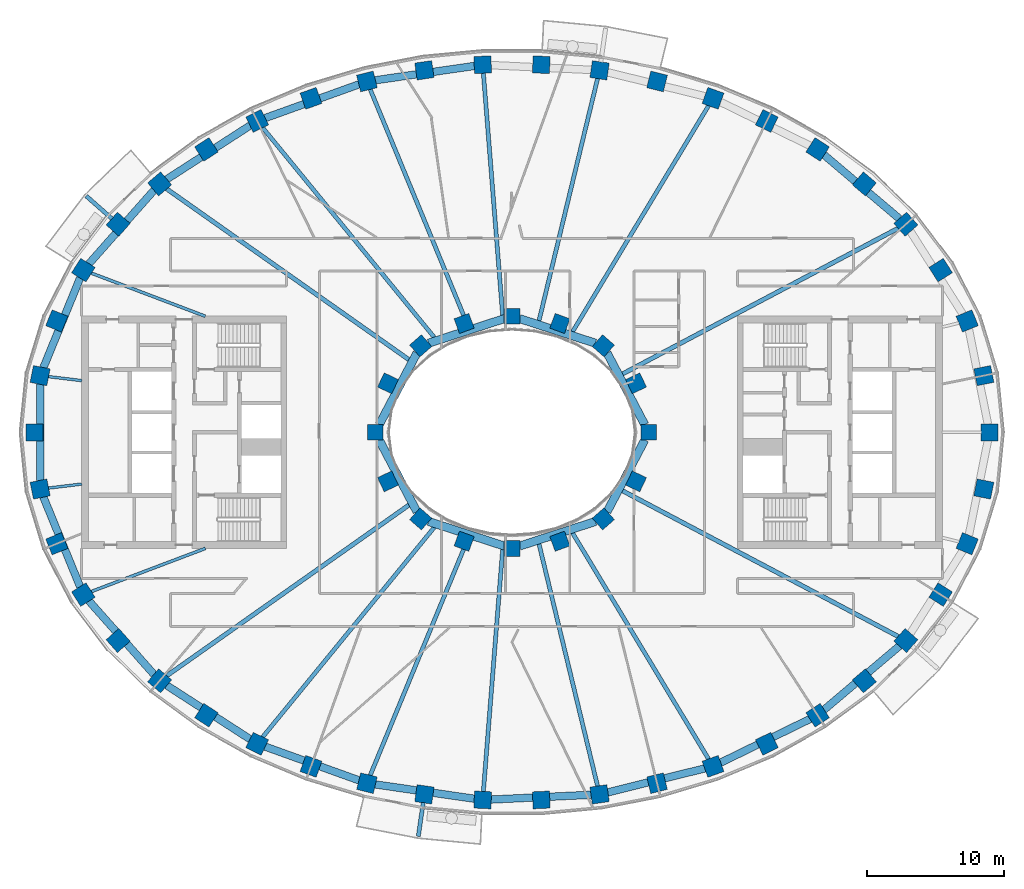
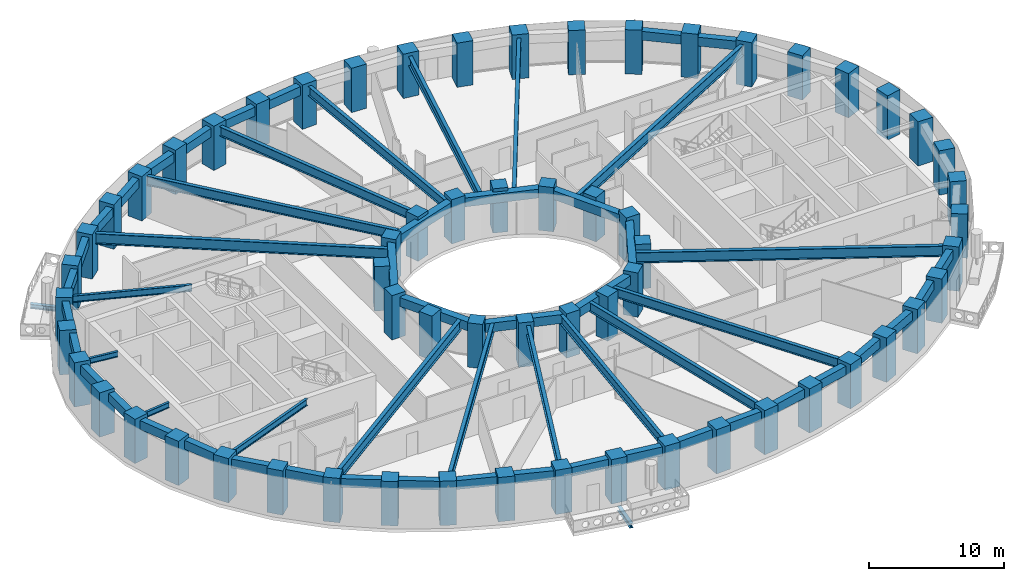
# One storey, part 1 of 16: 62 columns, 44 beams.
"""IFC4 building model written with IfcOpenShell, lengths in metres."""

import ifcopenshell
import ifcopenshell.guid

model = None  # the IFC model being written
_history = None  # IfcOwnerHistory: only IFC2X3 demands one
_inside = {}  # id of a spatial element -> (the spatial element, [elements in it])
_under = {}  # id of a project, library or spatial element -> (it, [spatial elements below it])
_declared = {}  # id of a project -> (the project, [libraries it declares])
_typed = {}  # id of a type object -> (the type object, [elements of that type])
_made_of = {}  # id of a material, layer set ... -> (it, [elements and type objects made of it])


def new_model(schema):
    """Start an empty IFC model of exactly this schema.

    Asked for "IFC4X3", IfcOpenShell would pick the latest addendum, in which some entities
    have other attributes; the version numbers below select the first issue.
    IFC2X3 requires an IfcOwnerHistory on every rooted entity: one is made here for all.
    """
    global model, _history
    if schema == "IFC4X3":
        model = ifcopenshell.file(schema_version=(4, 3, 0, 0))
    else:
        model = ifcopenshell.file(schema=schema)
    _inside.clear()
    _under.clear()
    _declared.clear()
    _typed.clear()
    _made_of.clear()
    _history = None
    if model.schema == "IFC2X3":
        org = make("IfcOrganization", Name="unknown")
        user = make(
            "IfcPersonAndOrganization",
            ThePerson=make("IfcPerson", FamilyName="unknown"),
            TheOrganization=org,
        )
        app = make(
            "IfcApplication",
            ApplicationDeveloper=org,
            Version="unknown",
            ApplicationFullName="unknown",
            ApplicationIdentifier="unknown",
        )
        _history = make(
            "IfcOwnerHistory",
            OwningUser=user,
            OwningApplication=app,
            ChangeAction="ADDED",
            CreationDate=0,
        )
    return model


def make(cls, **values):
    """One entity of the class cls with the attributes given. An attribute that is None is left unset."""
    return model.create_entity(
        cls, **{name: value for name, value in values.items() if value is not None}
    )


def rooted(cls, **values):
    """An entity with a GlobalId (a new one), such as an element, a storey or a relation."""
    return make(cls, GlobalId=ifcopenshell.guid.new(), OwnerHistory=_history, **values)


def si_unit(unit_type, name, prefix=None):
    """IfcSIUnit, for example si_unit("LENGTHUNIT", "METRE", prefix="MILLI")."""
    return make("IfcSIUnit", UnitType=unit_type, Prefix=prefix, Name=name)


def assignment(units):
    """IfcUnitAssignment: the units of a project."""
    return None if units is None else make("IfcUnitAssignment", Units=units)


def point(xyz):
    """IfcCartesianPoint."""
    return None if xyz is None else make("IfcCartesianPoint", Coordinates=xyz)


def direction(xyz):
    """IfcDirection."""
    return None if xyz is None else make("IfcDirection", DirectionRatios=xyz)


def frame(location, z_axis=None, x_axis=None):
    """IfcAxis2Placement3D, a coordinate frame: its origin and axes. An axis left out is left unset."""
    return make(
        "IfcAxis2Placement3D",
        Location=point(location),
        Axis=direction(z_axis),
        RefDirection=direction(x_axis),
    )


def frame_2d(location, x_axis=None):
    """IfcAxis2Placement2D, a coordinate frame in the plane: its origin and x axis."""
    return make(
        "IfcAxis2Placement2D", Location=point(location), RefDirection=direction(x_axis)
    )


def origin():
    """The frame at (0, 0, 0) with its axes left unset."""
    return frame((0.0, 0.0, 0.0))


def origin_2d():
    """The frame at (0, 0) in the plane with its x axis left unset."""
    return frame_2d((0.0, 0.0))


def place(relative_to, where):
    """IfcLocalPlacement: puts the frame where relative to a parent placement (None: the world)."""
    return make(
        "IfcLocalPlacement", PlacementRelTo=relative_to, RelativePlacement=where
    )


def context(
    kind, dimensions, precision=None, world=None, true_north=None, identifier=None
):
    """IfcGeometricRepresentationContext, for example the 3D "Model" context."""
    return make(
        "IfcGeometricRepresentationContext",
        ContextIdentifier=identifier,
        ContextType=kind,
        CoordinateSpaceDimension=dimensions,
        Precision=precision,
        WorldCoordinateSystem=world,
        TrueNorth=true_north,
    )


def subcontext(parent, identifier, kind, view, scale=None):
    """IfcGeometricRepresentationSubContext, for example "Body" below "Model"."""
    return make(
        "IfcGeometricRepresentationSubContext",
        ContextIdentifier=identifier,
        ContextType=kind,
        ParentContext=parent,
        TargetScale=scale,
        TargetView=view,
    )


def project(units=None, contexts=None):
    """IfcProject with its units and contexts."""
    return rooted(
        "IfcProject",
        Name="project",
        RepresentationContexts=contexts,
        UnitsInContext=assignment(units),
    )


def spatial(cls, under=None, at=None, **own):
    """A site, building, storey or space (cls), placed at a placement, below another one or the project."""
    s = rooted(cls, ObjectPlacement=at, **own)
    if under is not None:
        _under.setdefault(under.id(), (under, []))[1].append(s)
    return s


def profile(cls, at=None, kind="AREA", **sizes):
    """A parametric profile (cls). Its sizes go by their IFC names, for example OverallWidth=200.0."""
    return make(cls, ProfileType=kind, Position=at, **sizes)


def rectangle(**sizes):
    """IfcRectangleProfileDef."""
    return profile("IfcRectangleProfileDef", **sizes)


def i_section(**sizes):
    """IfcIShapeProfileDef."""
    return profile("IfcIShapeProfileDef", **sizes)


def extrude(swept, where, along, depth):
    """IfcExtrudedAreaSolid: the profile swept, set in the frame where, extruded along a direction by depth."""
    return make(
        "IfcExtrudedAreaSolid",
        SweptArea=swept,
        Position=where,
        ExtrudedDirection=direction(along),
        Depth=depth,
    )


def shape(context_of_items, identifier, shape_type, items):
    """IfcShapeRepresentation: the items that make up one representation, for example the "Body"."""
    return make(
        "IfcShapeRepresentation",
        ContextOfItems=context_of_items,
        RepresentationIdentifier=identifier,
        RepresentationType=shape_type,
        Items=items,
    )


def material(Name=None, Category=None):
    """IfcMaterial."""
    return make("IfcMaterial", Name=Name, Category=Category)


def material_profile(
    of_material, cross_section, Name=None, Category=None, Priority=None
):
    """IfcMaterialProfile: a cross section and its material."""
    return make(
        "IfcMaterialProfile",
        Name=Name,
        Material=of_material,
        Profile=cross_section,
        Priority=Priority,
        Category=Category,
    )


def profile_set(profiles, Name=None, composite=None):
    """IfcMaterialProfileSet."""
    return make(
        "IfcMaterialProfileSet",
        Name=Name,
        MaterialProfiles=profiles,
        CompositeProfile=composite,
    )


def made_of(thing, what):
    """Note that an element or type object is made of a material, layer set ...; save() writes the relation."""
    if what is not None:
        _made_of.setdefault(what.id(), (what, []))[1].append(thing)
    return thing


def type_object(cls, material=None, **own):
    """A type object (cls), such as IfcWallType, which elements share."""
    return made_of(rooted(cls, **own), material)


def element(
    cls,
    number,
    at=None,
    inside=None,
    cuts=None,
    type_object=None,
    material=None,
    context=None,
    identifier="Body",
    shape_type=None,
    held_by="IfcProductDefinitionShape",
    body=None,
    shapes=None,
    **own,
):
    """One element of the class cls, such as IfcWall. Its Tag is "e" and its number.

    at: its placement. inside: the storey or other place that contains it. cuts: it is an
    opening in that element (IfcRelVoidsElement). A single representation is given by context,
    identifier, shape_type and body (its items); several are given by shapes. held_by: the class
    of the entity that holds the representations. save() writes the other relations.
    """
    e = rooted(cls, Tag="e%d" % number, ObjectPlacement=at, **own)
    if body is not None:
        shapes = [shape(context, identifier, shape_type, body)]
    if shapes is not None:
        e.Representation = make(held_by, Representations=shapes)
    if inside is not None:
        _inside.setdefault(inside.id(), (inside, []))[1].append(e)
    if cuts is not None:
        rooted(
            "IfcRelVoidsElement", RelatingBuildingElement=cuts, RelatedOpeningElement=e
        )
    if type_object is not None:
        _typed.setdefault(type_object.id(), (type_object, []))[1].append(e)
    return made_of(e, material)


def aggregate(whole, parts):
    """IfcRelAggregates: a whole, such as a stair, and the parts it consists of."""
    return rooted("IfcRelAggregates", RelatingObject=whole, RelatedObjects=parts)


def save(model, path):
    """Write the relations noted so far, then the file.

    IfcRelAggregates (storeys below a building ...), IfcRelContainedInSpatialStructure (elements
    in a storey), IfcRelDefinesByType, IfcRelAssociatesMaterial and IfcRelDeclares: one each for
    every whole, place, type object, material and project.
    """
    for whole, parts in _under.values():
        aggregate(whole, parts)
    for where, things in _inside.values():
        rooted(
            "IfcRelContainedInSpatialStructure",
            RelatedElements=things,
            RelatingStructure=where,
        )
    for kind, things in _typed.values():
        rooted("IfcRelDefinesByType", RelatedObjects=things, RelatingType=kind)
    for what, things in _made_of.values():
        rooted("IfcRelAssociatesMaterial", RelatedObjects=things, RelatingMaterial=what)
    for by, libraries in _declared.values():
        rooted("IfcRelDeclares", RelatingContext=by, RelatedDefinitions=libraries)
    model.write(path)


model = new_model("IFC4")

# Units and contexts
model_context = context("Model", 3, precision=1e-05, world=origin(), true_north=direction((0.0, 1.0)))
body_context = subcontext(model_context, "Body", "Model", "MODEL_VIEW")
ifc_project = project(units=[si_unit("LENGTHUNIT", "METRE"), si_unit("AREAUNIT", "SQUARE_METRE"), si_unit("VOLUMEUNIT", "CUBIC_METRE"), si_unit("PLANEANGLEUNIT", "RADIAN"), si_unit("MASSUNIT", "GRAM", prefix="KILO")], contexts=[model_context])

# Site, building, storey
site_placement = place(None, origin())
site = spatial("IfcSite", under=ifc_project, at=site_placement, CompositionType="ELEMENT")
building_placement = place(site_placement, origin())
building = spatial("IfcBuilding", under=site, at=building_placement, Name="Noorbagh Ring Tower", CompositionType="ELEMENT")
storey_placement = place(building_placement, frame((0.0, 0.0, 124.0)))
storey = spatial("IfcBuildingStorey", under=building, at=storey_placement, Name="L28", CompositionType="ELEMENT", Elevation=124.0)

# Columns
ifc_material_1 = material(Name="Concrete C60/75", Category="concrete")
ifc_material_profile_1 = material_profile(ifc_material_1, rectangle(XDim=1.25, YDim=1.25, at=origin_2d()), Name="RC1250x1250")
ifc_profile_set_1 = profile_set([ifc_material_profile_1], Name="Concrete C60/75")
column_type_1 = type_object("IfcColumnType", Name="STR-COL-RC1250x1250-C60-75", PredefinedType="COLUMN", material=ifc_profile_set_1)
for number, where, z_axis, x_axis, name in (
    (1, (34.944580078125, 0.0, 0.0), (0.0, 0.0, 1.0), (0.0, 1.0, 0.0), "L28/col/R1-01"),
    (2, (34.52685546875, 4.150634765625, 0.0), (0.0, 0.0, 1.0), (-0.19723040178, 0.9803571638, 0.0), "L28/col/R1-02"),
    (3, (33.30517578125, 8.1494140625, 0.0), (0.0, 0.0, 1.0), (-0.378989499959, 0.925400971969, 0.0), "L28/col/R1-03"),
    (4, (31.364990234375, 11.87109375, 0.0), (0.0, 0.0, 1.0), (-0.535190403059, 0.844731455833, 0.0), "L28/col/R1-04"),
    (5, (28.81884765625, 15.23046875, 0.0), (0.0, 0.0, 1.0), (-0.662635642662, 0.748941923699, 0.0), "L28/col/R1-05"),
    (6, (25.78271484375, 18.180419921875, 0.0), (0.0, 0.0, 1.0), (-0.763035199656, 0.646356932419, 0.0), "L28/col/R1-06"),
    (7, (22.362060546875, 20.699951171875, 0.0), (0.0, 0.0, 1.0), (-0.840247639643, 0.542202825586, 0.0), "L28/col/R1-07"),
    (8, (18.646240234375, 22.785400390625, 0.0), (0.0, 0.0, 1.0), (-0.898399080868, 0.439180021741, 0.0), "L28/col/R1-08"),
    (9, (14.70947265625, 24.44091796875, 0.0), (0.0, 0.0, 1.0), (-0.941024726094, 0.338337797003, 0.0), "L28/col/R1-09"),
    (10, (10.61328125, 25.673583984375, 0.0), (0.0, 0.0, 1.0), (-0.970829360981, 0.239771457553, 0.0), "L28/col/R1-10"),
    (11, (6.4091796875, 26.49072265625, 0.0), (0.0, 0.0, 1.0), (-0.989713114048, 0.143066249975, 0.0), "L28/col/R1-11"),
    (12, (2.14306640625, 26.89794921875, 0.0), (0.0, 0.0, 1.0), (-0.998868731212, 0.047552684538, 0.0), "L28/col/R1-12"),
    (13, (-2.14306640625, 26.89794921875, 0.0), (0.0, 0.0, 1.0), (-0.998868731212, -0.047552684538, 0.0), "L28/col/R1-13"),
    (14, (-6.4091796875, 26.49072265625, 0.0), (0.0, 0.0, 1.0), (-0.989713114048, -0.143066249975, 0.0), "L28/col/R1-14"),
    (15, (-10.61328125, 25.673583984375, 0.0), (0.0, 0.0, 1.0), (-0.970829360981, -0.239771457553, 0.0), "L28/col/R1-15"),
    (16, (-14.70947265625, 24.44091796875, 0.0), (0.0, 0.0, 1.0), (-0.941024726094, -0.338337797003, 0.0), "L28/col/R1-16"),
    (17, (-18.646240234375, 22.785400390625, 0.0), (0.0, 0.0, 1.0), (-0.898399080868, -0.439180021741, 0.0), "L28/col/R1-17"),
    (18, (-22.362060546875, 20.699951171875, 0.0), (0.0, 0.0, 1.0), (-0.840247639643, -0.542202825586, 0.0), "L28/col/R1-18"),
    (19, (-25.78271484375, 18.180419921875, 0.0), (0.0, 0.0, 1.0), (-0.763035199656, -0.646356932419, 0.0), "L28/col/R1-19"),
    (20, (-28.81884765625, 15.23046875, 0.0), (0.0, 0.0, 1.0), (-0.662635642662, -0.748941923699, 0.0), "L28/col/R1-20"),
    (21, (-31.364990234375, 11.87109375, 0.0), (0.0, 0.0, 1.0), (-0.535190403059, -0.844731455833, 0.0), "L28/col/R1-21"),
    (22, (-33.30517578125, 8.1494140625, 0.0), (0.0, 0.0, 1.0), (-0.378989499959, -0.925400971969, 0.0), "L28/col/R1-22"),
    (23, (-34.52685546875, 4.150634765625, 0.0), (0.0, 0.0, 1.0), (-0.19723040178, -0.9803571638, 0.0), "L28/col/R1-23"),
    (24, (-34.944580078125, 0.0, 0.0), (0.0, 0.0, 1.0), (0.0, -1.0, 0.0), "L28/col/R1-24"),
    (25, (-34.52685546875, -4.150634765625, 0.0), (0.0, 0.0, 1.0), (0.19723040178, -0.9803571638, 0.0), "L28/col/R1-25"),
    (26, (-33.30517578125, -8.1494140625, 0.0), (0.0, 0.0, 1.0), (0.378989499959, -0.925400971969, 0.0), "L28/col/R1-26"),
    (27, (-31.364990234375, -11.87109375, 0.0), (0.0, 0.0, 1.0), (0.535190403059, -0.844731455833, 0.0), "L28/col/R1-27"),
    (28, (-28.81884765625, -15.23046875, 0.0), (0.0, 0.0, 1.0), (0.662635642662, -0.748941923699, 0.0), "L28/col/R1-28"),
    (29, (-25.78271484375, -18.180419921875, 0.0), (0.0, 0.0, 1.0), (0.763035199656, -0.646356932419, 0.0), "L28/col/R1-29"),
    (30, (-22.362060546875, -20.699951171875, 0.0), (0.0, 0.0, 1.0), (0.840247639643, -0.542202825586, 0.0), "L28/col/R1-30"),
    (31, (-18.646240234375, -22.785400390625, 0.0), (0.0, 0.0, 1.0), (0.898399080868, -0.439180021741, 0.0), "L28/col/R1-31"),
    (32, (-14.70947265625, -24.44091796875, 0.0), (0.0, 0.0, 1.0), (0.941024726094, -0.338337797003, 0.0), "L28/col/R1-32"),
    (33, (-10.61328125, -25.673583984375, 0.0), (0.0, 0.0, 1.0), (0.970829360981, -0.239771457553, 0.0), "L28/col/R1-33"),
    (34, (-6.4091796875, -26.49072265625, 0.0), (0.0, 0.0, 1.0), (0.989713114048, -0.143066249975, 0.0), "L28/col/R1-34"),
    (35, (-2.14306640625, -26.89794921875, 0.0), (0.0, 0.0, 1.0), (0.998868731212, -0.047552684538, 0.0), "L28/col/R1-35"),
    (36, (2.14306640625, -26.89794921875, 0.0), (0.0, 0.0, 1.0), (0.998868731212, 0.047552684538, 0.0), "L28/col/R1-36"),
    (37, (6.4091796875, -26.49072265625, 0.0), (0.0, 0.0, 1.0), (0.989713114048, 0.143066249975, 0.0), "L28/col/R1-37"),
    (38, (10.61328125, -25.673583984375, 0.0), (0.0, 0.0, 1.0), (0.970829360981, 0.239771457553, 0.0), "L28/col/R1-38"),
    (39, (14.70947265625, -24.44091796875, 0.0), (0.0, 0.0, 1.0), (0.941024726094, 0.338337797003, 0.0), "L28/col/R1-39"),
    (40, (18.646240234375, -22.785400390625, 0.0), (0.0, 0.0, 1.0), (0.898399080868, 0.439180021741, 0.0), "L28/col/R1-40"),
    (41, (22.362060546875, -20.699951171875, 0.0), (0.0, 0.0, 1.0), (0.840247639643, 0.542202825586, 0.0), "L28/col/R1-41"),
    (42, (25.78271484375, -18.180419921875, 0.0), (0.0, 0.0, 1.0), (0.763035199656, 0.646356932419, 0.0), "L28/col/R1-42"),
    (43, (28.81884765625, -15.23046875, 0.0), (0.0, 0.0, 1.0), (0.662635642662, 0.748941923699, 0.0), "L28/col/R1-43"),
    (44, (31.364990234375, -11.87109375, 0.0), (0.0, 0.0, 1.0), (0.535190403059, 0.844731455833, 0.0), "L28/col/R1-44"),
    (45, (33.30517578125, -8.1494140625, 0.0), (0.0, 0.0, 1.0), (0.378989499959, 0.925400971969, 0.0), "L28/col/R1-45"),
    (46, (34.52685546875, -4.150634765625, 0.0), (0.0, 0.0, 1.0), (0.19723040178, 0.9803571638, 0.0), "L28/col/R1-46"),
):
    element("IfcColumn", number, at=place(storey_placement, frame(where, z_axis=z_axis, x_axis=x_axis)), inside=storey, type_object=column_type_1, Name=name, PredefinedType="COLUMN", context=body_context, shape_type="SweptSolid", body=[
        extrude(rectangle(XDim=1.25, YDim=1.25, at=origin_2d()), origin(), (0.0, 0.0, 1.0), 4.0),
    ])
ifc_material_2 = material(Name="Concrete C60/75", Category="concrete")
ifc_material_profile_2 = material_profile(ifc_material_2, rectangle(XDim=1.14990234375, YDim=1.14990234375, at=origin_2d()), Name="RC1150x1150")
ifc_profile_set_2 = profile_set([ifc_material_profile_2], Name="Concrete C60/75")
column_type_2 = type_object("IfcColumnType", Name="STR-ICOL-RC1150x1150-C60-75", PredefinedType="COLUMN", material=ifc_profile_set_2)
for number, where, z_axis, x_axis, name in (
    (47, (10.00830078125, 0.0, 0.0), (0.0, 0.0, 1.0), (0.0, 1.0, 0.0), "L28/col/IR2-W01"),
    (48, (9.07568359375, 3.58837890625, 0.0), (0.0, 0.0, 1.0), (-0.428666979171, 0.903462573087, 0.0), "L28/col/IR2-W03"),
    (49, (6.68212890625, 6.333740234375, 0.0), (0.0, 0.0, 1.0), (-0.75102249095, 0.660276622399, 0.0), "L28/col/IR2-W05"),
    (50, (3.5009765625, 7.967041015625, 0.0), (0.0, 0.0, 1.0), (-0.939019578916, 0.343863679984, 0.0), "L28/col/IR2-W07"),
    (51, (0.0, 8.5029296875, 0.0), (0.0, 0.0, 1.0), (-1.0, 0.0, 0.0), "L28/col/IR2-W09"),
    (52, (-3.5009765625, 7.967041015625, 0.0), (0.0, 0.0, 1.0), (-0.939019578916, -0.343863679984, 0.0), "L28/col/IR2-W11"),
    (53, (-6.68212890625, 6.333740234375, 0.0), (0.0, 0.0, 1.0), (-0.75102249095, -0.660276622399, 0.0), "L28/col/IR2-W13"),
    (54, (-9.07568359375, 3.58837890625, 0.0), (0.0, 0.0, 1.0), (-0.428666979171, -0.903462573087, 0.0), "L28/col/IR2-W15"),
    (55, (-10.00830078125, 0.0, 0.0), (0.0, 0.0, 1.0), (0.0, -1.0, 0.0), "L28/col/IR2-W17"),
    (56, (-9.07568359375, -3.58837890625, 0.0), (0.0, 0.0, 1.0), (0.428666979171, -0.903462573087, 0.0), "L28/col/IR2-W19"),
    (57, (-6.68212890625, -6.333740234375, 0.0), (0.0, 0.0, 1.0), (0.75102249095, -0.660276622399, 0.0), "L28/col/IR2-W21"),
    (58, (-3.5009765625, -7.967041015625, 0.0), (0.0, 0.0, 1.0), (0.939019578916, -0.343863679984, 0.0), "L28/col/IR2-W23"),
    (59, (0.0, -8.5029296875, 0.0), (0.0, 0.0, 1.0), (1.0, 0.0, 0.0), "L28/col/IR2-W25"),
    (60, (3.5009765625, -7.967041015625, 0.0), (0.0, 0.0, 1.0), (0.939019578916, 0.343863679984, 0.0), "L28/col/IR2-W27"),
    (61, (6.68212890625, -6.333740234375, 0.0), (0.0, 0.0, 1.0), (0.75102249095, 0.660276622399, 0.0), "L28/col/IR2-W29"),
    (62, (9.07568359375, -3.58837890625, 0.0), (0.0, 0.0, 1.0), (0.428666979171, 0.903462573087, 0.0), "L28/col/IR2-W31"),
):
    element("IfcColumn", number, at=place(storey_placement, frame(where, z_axis=z_axis, x_axis=x_axis)), inside=storey, type_object=column_type_2, Name=name, PredefinedType="COLUMN", context=body_context, shape_type="SweptSolid", body=[
        extrude(rectangle(XDim=1.14990234375, YDim=1.14990234375, at=origin_2d()), origin(), (0.0, 0.0, 1.0), 4.0),
    ])

# Beams
ifc_material_3 = material(Name="Steel S355", Category="steel")
ifc_material_profile_3 = material_profile(ifc_material_3, i_section(OverallWidth=0.300048828125, OverallDepth=0.39990234375, WebThickness=0.013427734375, FlangeThickness=0.02392578125, FilletRadius=0.027099609375, at=origin_2d()), Name="HEB400")
ifc_profile_set_3 = profile_set([ifc_material_profile_3], Name="Steel S355")
beam_type_1 = type_object("IfcBeamType", Name="STR-BALCONY-BRACKET-HEB400", PredefinedType="BEAM", material=ifc_profile_set_3)
beam_1_placement = place(storey_placement, frame((-29.27197265625, 15.63134765625, -0.5), z_axis=(-0.749063543205, 0.662498157161, 0.0), x_axis=(-0.662498157161, -0.749063543205, 0.0)))
element("IfcBeam", 63, at=beam_1_placement, inside=storey, type_object=beam_type_1, Name="Balcony bracket beam BN06", PredefinedType="BEAM", context=body_context, shape_type="SweptSolid", body=[
    extrude(i_section(OverallWidth=0.300048828125, OverallDepth=0.39990234375, WebThickness=0.013427734375, FlangeThickness=0.02392578125, FilletRadius=0.027099609375, at=origin_2d()), origin(), (0.0, 0.0, 1.0), 2.50439453125),
])
beam_2_placement = place(storey_placement, frame((-6.495849609375, -27.089599609375, -0.5), z_axis=(-0.143035199344, -0.98971760202, 0.0), x_axis=(0.98971760202, -0.143035199344, 0.0)))
element("IfcBeam", 64, at=beam_2_placement, inside=storey, type_object=beam_type_1, Name="Balcony bracket beam BS03", PredefinedType="BEAM", context=body_context, shape_type="SweptSolid", body=[
    extrude(i_section(OverallWidth=0.300048828125, OverallDepth=0.39990234375, WebThickness=0.013427734375, FlangeThickness=0.02392578125, FilletRadius=0.027099609375, at=origin_2d()), origin(), (0.0, 0.0, 1.0), 2.498779296875),
])
ifc_material_4 = material(Name="Steel S355", Category="steel")
ifc_material_profile_4 = material_profile(ifc_material_4, i_section(OverallWidth=0.199951171875, OverallDepth=0.5, WebThickness=0.01025390625, FlangeThickness=0.01611328125, FilletRadius=0.02099609375, at=origin_2d()), Name="IPE500")
ifc_profile_set_4 = profile_set([ifc_material_profile_4], Name="Steel S355")
beam_type_2 = type_object("IfcBeamType", Name="STR-RAD-IPE500", PredefinedType="BEAM", material=ifc_profile_set_4)
for number, where, z_axis, x_axis, name in (
    (65, (-33.924072265625, 4.078125, 3.449951171875), (0.992855702759, -0.119321219822, 0.0), (0.119321219822, 0.992855702759, 0.0), "L28/bm/RD23"),
    (66, (-33.924072265625, -4.078125, 3.449951171875), (0.992855702759, 0.119321219822, 0.0), (-0.119321219822, 0.992855702759, 0.0), "L28/bm/RD25"),
):
    element("IfcBeam", number, at=place(storey_placement, frame(where, z_axis=z_axis, x_axis=x_axis)), inside=storey, type_object=beam_type_2, Name=name, PredefinedType="BEAM", context=body_context, shape_type="SweptSolid", body=[
        extrude(i_section(OverallWidth=0.199951171875, OverallDepth=0.5, WebThickness=0.01025390625, FlangeThickness=0.01611328125, FilletRadius=0.02099609375, at=origin_2d()), origin(), (0.0, 0.0, 1.0), 2.46142578125),
    ])
ifc_material_5 = material(Name="Steel S355", Category="steel")
ifc_material_profile_5 = material_profile(ifc_material_5, i_section(OverallWidth=0.219970703125, OverallDepth=0.60009765625, WebThickness=0.011962890625, FlangeThickness=0.01904296875, FilletRadius=0.02392578125, at=origin_2d()), Name="IPE600")
ifc_profile_set_5 = profile_set([ifc_material_profile_5], Name="Steel S355")
beam_type_3 = type_object("IfcBeamType", Name="STR-RAD-IPE600", PredefinedType="BEAM", material=ifc_profile_set_5)
for number, where, z_axis, x_axis, name in (
    (67, (-30.786865234375, 11.652099609375, 3.39990234375), (0.935256889456, -0.353969703117, 0.0), (0.353969703117, 0.935256889456, 0.0), "L28/bm/RD21"),
    (68, (-30.786865234375, -11.652099609375, 3.39990234375), (0.935256889456, 0.353969703117, 0.0), (-0.353969703117, 0.935256889456, 0.0), "L28/bm/RD27"),
):
    element("IfcBeam", number, at=place(storey_placement, frame(where, z_axis=z_axis, x_axis=x_axis)), inside=storey, type_object=beam_type_3, Name=name, PredefinedType="BEAM", context=body_context, shape_type="SweptSolid", body=[
        extrude(i_section(OverallWidth=0.219970703125, OverallDepth=0.60009765625, WebThickness=0.011962890625, FlangeThickness=0.01904296875, FilletRadius=0.02392578125, at=origin_2d()), origin(), (0.0, 0.0, 1.0), 8.925048828125),
    ])
ifc_material_6 = material(Name="Steel S355", Category="steel")
ifc_material_profile_6 = material_profile(ifc_material_6, i_section(OverallWidth=0.300048828125, OverallDepth=0.85009765625, WebThickness=0.013916015625, FlangeThickness=0.028076171875, at=origin_2d()), Name="PG850x300x14x28")
ifc_profile_set_6 = profile_set([ifc_material_profile_6], Name="Steel S355")
beam_type_4 = type_object("IfcBeamType", Name="STR-RAD-PG850x300x14x28", PredefinedType="BEAM", material=ifc_profile_set_6)
beam_3_placement = place(storey_placement, frame((14.39111328125, 23.912109375, 3.27490234375), z_axis=(-0.515649393851, -0.856799686403, 0.0), x_axis=(0.856799686403, -0.515649393851, 0.0)))
element("IfcBeam", 69, at=beam_3_placement, inside=storey, type_object=beam_type_4, Name="L28/bm/RD09", PredefinedType="BEAM", context=body_context, shape_type="SweptSolid", body=[
    extrude(i_section(OverallWidth=0.300048828125, OverallDepth=0.85009765625, WebThickness=0.013916015625, FlangeThickness=0.028076171875, at=origin_2d()), origin(), (0.0, 0.0, 1.0), 19.318603515625),
])
beam_4_placement = place(storey_placement, frame((6.266357421875, 25.900146484375, 3.27490234375), z_axis=(-0.235162116431, -0.971956161046, 0.0), x_axis=(0.971956161046, -0.235162116431, 0.0)))
element("IfcBeam", 70, at=beam_4_placement, inside=storey, type_object=beam_type_4, Name="L28/bm/RD11", PredefinedType="BEAM", context=body_context, shape_type="SweptSolid", body=[
    extrude(i_section(OverallWidth=0.300048828125, OverallDepth=0.85009765625, WebThickness=0.013916015625, FlangeThickness=0.028076171875, at=origin_2d()), origin(), (0.0, 0.0, 1.0), 18.25537109375),
])
beam_5_placement = place(storey_placement, frame((-2.09521484375, 26.294677734375, 3.27490234375), z_axis=(0.079430227558, -0.996840428027, 0.0), x_axis=(0.996840428027, 0.079430227558, 0.0)))
element("IfcBeam", 71, at=beam_5_placement, inside=storey, type_object=beam_type_4, Name="L28/bm/RD13", PredefinedType="BEAM", context=body_context, shape_type="SweptSolid", body=[
    extrude(i_section(OverallWidth=0.300048828125, OverallDepth=0.85009765625, WebThickness=0.013916015625, FlangeThickness=0.028076171875, at=origin_2d()), origin(), (0.0, 0.0, 1.0), 17.77490234375),
])
beam_6_placement = place(storey_placement, frame((-10.37939453125, 25.10791015625, 3.27490234375), z_axis=(0.382033251653, -0.924148578223, 0.0), x_axis=(0.924148578223, 0.382033251653, 0.0)))
element("IfcBeam", 72, at=beam_6_placement, inside=storey, type_object=beam_type_4, Name="L28/bm/RD15", PredefinedType="BEAM", context=body_context, shape_type="SweptSolid", body=[
    extrude(i_section(OverallWidth=0.300048828125, OverallDepth=0.85009765625, WebThickness=0.013916015625, FlangeThickness=0.028076171875, at=origin_2d()), origin(), (0.0, 0.0, 1.0), 18.775390625),
])
for number, where, z_axis, x_axis, name in (
    (73, (-18.252197265625, 22.303955078125, 3.27490234375), (0.633304807385, -0.773902462163, 0.0), (0.773902462163, 0.633304807385, 0.0), "L28/bm/RD17"),
    (74, (-18.252197265625, -22.303955078125, 3.27490234375), (0.633304807385, 0.773902462163, 0.0), (-0.773902462163, 0.633304807385, 0.0), "L28/bm/RD31"),
):
    element("IfcBeam", number, at=place(storey_placement, frame(where, z_axis=z_axis, x_axis=x_axis)), inside=storey, type_object=beam_type_4, Name=name, PredefinedType="BEAM", context=body_context, shape_type="SweptSolid", body=[
        extrude(i_section(OverallWidth=0.300048828125, OverallDepth=0.85009765625, WebThickness=0.013916015625, FlangeThickness=0.028076171875, at=origin_2d()), origin(), (0.0, 0.0, 1.0), 19.837158203125),
    ])
beam_7_placement = place(storey_placement, frame((-10.37939453125, -25.10791015625, 3.27490234375), z_axis=(0.382033251653, 0.924148578223, 0.0), x_axis=(-0.924148578223, 0.382033251653, 0.0)))
element("IfcBeam", 75, at=beam_7_placement, inside=storey, type_object=beam_type_4, Name="L28/bm/RD33", PredefinedType="BEAM", context=body_context, shape_type="SweptSolid", body=[
    extrude(i_section(OverallWidth=0.300048828125, OverallDepth=0.85009765625, WebThickness=0.013916015625, FlangeThickness=0.028076171875, at=origin_2d()), origin(), (0.0, 0.0, 1.0), 18.775390625),
])
beam_8_placement = place(storey_placement, frame((-2.09521484375, -26.294677734375, 3.27490234375), z_axis=(0.079430227558, 0.996840428027, 0.0), x_axis=(-0.996840428027, 0.079430227558, 0.0)))
element("IfcBeam", 76, at=beam_8_placement, inside=storey, type_object=beam_type_4, Name="L28/bm/RD35", PredefinedType="BEAM", context=body_context, shape_type="SweptSolid", body=[
    extrude(i_section(OverallWidth=0.300048828125, OverallDepth=0.85009765625, WebThickness=0.013916015625, FlangeThickness=0.028076171875, at=origin_2d()), origin(), (0.0, 0.0, 1.0), 17.77490234375),
])
beam_9_placement = place(storey_placement, frame((6.266357421875, -25.900146484375, 3.27490234375), z_axis=(-0.235162116431, 0.971956161046, 0.0), x_axis=(-0.971956161046, -0.235162116431, 0.0)))
element("IfcBeam", 77, at=beam_9_placement, inside=storey, type_object=beam_type_4, Name="L28/bm/RD37", PredefinedType="BEAM", context=body_context, shape_type="SweptSolid", body=[
    extrude(i_section(OverallWidth=0.300048828125, OverallDepth=0.85009765625, WebThickness=0.013916015625, FlangeThickness=0.028076171875, at=origin_2d()), origin(), (0.0, 0.0, 1.0), 18.25537109375),
])
beam_10_placement = place(storey_placement, frame((14.39111328125, -23.912109375, 3.27490234375), z_axis=(-0.515649393851, 0.856799686403, 0.0), x_axis=(-0.856799686403, -0.515649393851, 0.0)))
element("IfcBeam", 78, at=beam_10_placement, inside=storey, type_object=beam_type_4, Name="L28/bm/RD39", PredefinedType="BEAM", context=body_context, shape_type="SweptSolid", body=[
    extrude(i_section(OverallWidth=0.300048828125, OverallDepth=0.85009765625, WebThickness=0.013916015625, FlangeThickness=0.028076171875, at=origin_2d()), origin(), (0.0, 0.0, 1.0), 19.318603515625),
])
ifc_material_7 = material(Name="Steel S355", Category="steel")
ifc_material_profile_7 = material_profile(ifc_material_7, i_section(OverallWidth=0.320068359375, OverallDepth=0.949951171875, WebThickness=0.01611328125, FlangeThickness=0.030029296875, at=origin_2d()), Name="PG950x320x16x30")
ifc_profile_set_7 = profile_set([ifc_material_profile_7], Name="Steel S355")
beam_type_5 = type_object("IfcBeamType", Name="STR-RAD-PG950x320x16x30", PredefinedType="BEAM", material=ifc_profile_set_7)
beam_11_placement = place(storey_placement, frame((28.267822265625, 14.939453125, 3.22509765625), z_axis=(-0.884118542568, -0.467262669906, 0.0), x_axis=(0.467262669906, -0.884118542568, 0.0)))
element("IfcBeam", 79, at=beam_11_placement, inside=storey, type_object=beam_type_5, Name="L28/bm/RD05", PredefinedType="BEAM", context=body_context, shape_type="SweptSolid", body=[
    extrude(i_section(OverallWidth=0.320068359375, OverallDepth=0.949951171875, WebThickness=0.01611328125, FlangeThickness=0.030029296875, at=origin_2d()), origin(), (0.0, 0.0, 1.0), 22.831787109375),
])
for number, where, z_axis, x_axis, name in (
    (80, (-25.271484375, 17.81982421875, 3.22509765625), (0.817255824505, -0.57627503617, 0.0), (0.57627503617, 0.817255824505, 0.0), "L28/bm/RD19"),
    (81, (-25.271484375, -17.81982421875, 3.22509765625), (0.817255824505, 0.57627503617, 0.0), (-0.57627503617, 0.817255824505, 0.0), "L28/bm/RD29"),
):
    element("IfcBeam", number, at=place(storey_placement, frame(where, z_axis=z_axis, x_axis=x_axis)), inside=storey, type_object=beam_type_5, Name=name, PredefinedType="BEAM", context=body_context, shape_type="SweptSolid", body=[
        extrude(i_section(OverallWidth=0.320068359375, OverallDepth=0.949951171875, WebThickness=0.01611328125, FlangeThickness=0.030029296875, at=origin_2d()), origin(), (0.0, 0.0, 1.0), 21.702880859375),
    ])
beam_12_placement = place(storey_placement, frame((28.267822265625, -14.939453125, 3.22509765625), z_axis=(-0.884118542568, 0.467262669906, 0.0), x_axis=(-0.467262669906, -0.884118542568, 0.0)))
element("IfcBeam", 82, at=beam_12_placement, inside=storey, type_object=beam_type_5, Name="L28/bm/RD43", PredefinedType="BEAM", context=body_context, shape_type="SweptSolid", body=[
    extrude(i_section(OverallWidth=0.320068359375, OverallDepth=0.949951171875, WebThickness=0.01611328125, FlangeThickness=0.030029296875, at=origin_2d()), origin(), (0.0, 0.0, 1.0), 22.831787109375),
])
ifc_material_8 = material(Name="Concrete C40/50", Category="concrete")
ifc_material_profile_8 = material_profile(ifc_material_8, rectangle(XDim=0.60009765625, YDim=0.800048828125, at=origin_2d()), Name="RC600x800")
ifc_profile_set_8 = profile_set([ifc_material_profile_8], Name="Concrete C40/50")
beam_type_6 = type_object("IfcBeamType", Name="STR-RB-RC600x800-C40-50", PredefinedType="BEAM", material=ifc_profile_set_8)
beam_13_placement = place(storey_placement, frame((9.7158203125, 0.557373046875, 3.300048828125), z_axis=(-0.464946878947, 0.885338579165, 0.0), x_axis=(-0.885338579165, -0.464946878947, 0.0)))
element("IfcBeam", 83, at=beam_13_placement, inside=storey, type_object=beam_type_6, Name="L28/bm/RG01", PredefinedType="BEAM", context=body_context, shape_type="SweptSolid", body=[
    extrude(rectangle(XDim=0.60009765625, YDim=0.800048828125, at=origin_2d()), origin(), (0.0, 0.0, 1.0), 5.9287109375),
])
for number, where, z_axis, x_axis, name in (
    (84, (6.10546875, 6.52099609375, 3.300048828125), (-0.951151772647, 0.308723671576, 0.0), (-0.308723671576, -0.951151772647, 0.0), "L28/bm/RG03"),
    (85, (-0.555908203125, 8.322265625, 3.300048828125), (-0.951151772647, -0.308723671576, 0.0), (0.308723671576, -0.951151772647, 0.0), "L28/bm/RG05"),
):
    element("IfcBeam", number, at=place(storey_placement, frame(where, z_axis=z_axis, x_axis=x_axis)), inside=storey, type_object=beam_type_6, Name=name, PredefinedType="BEAM", context=body_context, shape_type="SweptSolid", body=[
        extrude(rectangle(XDim=0.60009765625, YDim=0.800048828125, at=origin_2d()), origin(), (0.0, 0.0, 1.0), 5.83447265625),
    ])
for number, where, z_axis, x_axis, name in (
    (86, (-6.959228515625, 5.806396484375, 3.300048828125), (-0.464946878947, -0.885338579165, 0.0), (0.885338579165, -0.464946878947, 0.0), "L28/bm/RG07"),
    (87, (-9.7158203125, -0.557373046875, 3.300048828125), (0.464946878947, -0.885338579165, 0.0), (0.885338579165, 0.464946878947, 0.0), "L28/bm/RG09"),
):
    element("IfcBeam", number, at=place(storey_placement, frame(where, z_axis=z_axis, x_axis=x_axis)), inside=storey, type_object=beam_type_6, Name=name, PredefinedType="BEAM", context=body_context, shape_type="SweptSolid", body=[
        extrude(rectangle(XDim=0.60009765625, YDim=0.800048828125, at=origin_2d()), origin(), (0.0, 0.0, 1.0), 5.9287109375),
    ])
for number, where, z_axis, x_axis, name in (
    (88, (-6.10546875, -6.52099609375, 3.300048828125), (0.951151772647, -0.308723671576, 0.0), (0.308723671576, 0.951151772647, 0.0), "L28/bm/RG11"),
    (89, (0.555908203125, -8.322265625, 3.300048828125), (0.951151772647, 0.308723671576, 0.0), (-0.308723671576, 0.951151772647, 0.0), "L28/bm/RG13"),
):
    element("IfcBeam", number, at=place(storey_placement, frame(where, z_axis=z_axis, x_axis=x_axis)), inside=storey, type_object=beam_type_6, Name=name, PredefinedType="BEAM", context=body_context, shape_type="SweptSolid", body=[
        extrude(rectangle(XDim=0.60009765625, YDim=0.800048828125, at=origin_2d()), origin(), (0.0, 0.0, 1.0), 5.83447265625),
    ])
beam_14_placement = place(storey_placement, frame((6.959228515625, -5.806396484375, 3.300048828125), z_axis=(0.464946878947, 0.885338579165, 0.0), x_axis=(-0.885338579165, 0.464946878947, 0.0)))
element("IfcBeam", 90, at=beam_14_placement, inside=storey, type_object=beam_type_6, Name="L28/bm/RG15", PredefinedType="BEAM", context=body_context, shape_type="SweptSolid", body=[
    extrude(rectangle(XDim=0.60009765625, YDim=0.800048828125, at=origin_2d()), origin(), (0.0, 0.0, 1.0), 5.9287109375),
])
ifc_material_9 = material(Name="Concrete C40/50", Category="concrete")
ifc_material_profile_9 = material_profile(ifc_material_9, rectangle(XDim=0.550048828125, YDim=0.800048828125, at=origin_2d()), Name="RC550x800")
ifc_profile_set_9 = profile_set([ifc_material_profile_9], Name="Concrete C40/50")
beam_type_7 = type_object("IfcBeamType", Name="STR-SB-RC550x800-C40-50", PredefinedType="BEAM", material=ifc_profile_set_9)
beam_15_placement = place(storey_placement, frame((28.352294921875, 15.625732421875, 3.300048828125), z_axis=(-0.76304723731, 0.646342721498, 0.0), x_axis=(-0.646342721498, -0.76304723731, 0.0)))
element("IfcBeam", 91, at=beam_15_placement, inside=storey, type_object=beam_type_7, Name="L28/bm/SP05", PredefinedType="BEAM", context=body_context, shape_type="SweptSolid", body=[
    extrude(rectangle(XDim=0.550048828125, YDim=0.800048828125, at=origin_2d()), origin(), (0.0, 0.0, 1.0), 7.240234375),
])
beam_16_placement = place(storey_placement, frame((-2.744873046875, 26.81103515625, 3.300048828125), z_axis=(-0.989710679794, -0.143083088804, 0.0), x_axis=(0.143083088804, -0.989710679794, 0.0)))
element("IfcBeam", 92, at=beam_16_placement, inside=storey, type_object=beam_type_7, Name="L28/bm/SP13", PredefinedType="BEAM", context=body_context, shape_type="SweptSolid", body=[
    extrude(rectangle(XDim=0.550048828125, YDim=0.800048828125, at=origin_2d()), origin(), (0.0, 0.0, 1.0), 7.342041015625),
])
beam_17_placement = place(storey_placement, frame((-11.185546875, 25.4677734375, 3.300048828125), z_axis=(-0.941032743566, -0.33831549704, 0.0), x_axis=(0.33831549704, -0.941032743566, 0.0)))
element("IfcBeam", 93, at=beam_17_placement, inside=storey, type_object=beam_type_7, Name="L28/bm/SP15", PredefinedType="BEAM", context=body_context, shape_type="SweptSolid", body=[
    extrude(rectangle(XDim=0.550048828125, YDim=0.800048828125, at=origin_2d()), origin(), (0.0, 0.0, 1.0), 7.319580078125),
])
beam_18_placement = place(storey_placement, frame((-19.158447265625, 22.455078125, 3.300048828125), z_axis=(-0.840240413794, -0.542214023267, 0.0), x_axis=(0.542214023267, -0.840240413794, 0.0)))
element("IfcBeam", 94, at=beam_18_placement, inside=storey, type_object=beam_type_7, Name="L28/bm/SP17", PredefinedType="BEAM", context=body_context, shape_type="SweptSolid", body=[
    extrude(rectangle(XDim=0.550048828125, YDim=0.800048828125, at=origin_2d()), origin(), (0.0, 0.0, 1.0), 7.273681640625),
])
beam_19_placement = place(storey_placement, frame((-26.18798828125, 17.722412109375, 3.300048828125), z_axis=(-0.662621438295, -0.748954490948, 0.0), x_axis=(0.748954490948, -0.662621438295, 0.0)))
element("IfcBeam", 95, at=beam_19_placement, inside=storey, type_object=beam_type_7, Name="L28/bm/SP19", PredefinedType="BEAM", context=body_context, shape_type="SweptSolid", body=[
    extrude(rectangle(XDim=0.550048828125, YDim=0.800048828125, at=origin_2d()), origin(), (0.0, 0.0, 1.0), 7.19970703125),
])
beam_20_placement = place(storey_placement, frame((-31.597900390625, 11.302001953125, 3.300048828125), z_axis=(-0.379013796153, -0.925391021313, 0.0), x_axis=(0.925391021313, -0.379013796153, 0.0)))
element("IfcBeam", 96, at=beam_20_placement, inside=storey, type_object=beam_type_7, Name="L28/bm/SP21", PredefinedType="BEAM", context=body_context, shape_type="SweptSolid", body=[
    extrude(rectangle(XDim=0.550048828125, YDim=0.800048828125, at=origin_2d()), origin(), (0.0, 0.0, 1.0), 7.111328125),
])
beam_21_placement = place(storey_placement, frame((-34.52685546875, 3.533203125, 3.300048828125), z_axis=(0.0, -1.0, 0.0), x_axis=(1.0, 0.0, 0.0)))
element("IfcBeam", 97, at=beam_21_placement, inside=storey, type_object=beam_type_7, Name="L28/bm/SP23", PredefinedType="BEAM", context=body_context, shape_type="SweptSolid", body=[
    extrude(rectangle(XDim=0.550048828125, YDim=0.800048828125, at=origin_2d()), origin(), (0.0, 0.0, 1.0), 7.06640625),
])
beam_22_placement = place(storey_placement, frame((-34.293212890625, -4.72119140625, 3.300048828125), z_axis=(0.379013796153, -0.925391021313, 0.0), x_axis=(0.925391021313, 0.379013796153, 0.0)))
element("IfcBeam", 98, at=beam_22_placement, inside=storey, type_object=beam_type_7, Name="L28/bm/SP25", PredefinedType="BEAM", context=body_context, shape_type="SweptSolid", body=[
    extrude(rectangle(XDim=0.550048828125, YDim=0.800048828125, at=origin_2d()), origin(), (0.0, 0.0, 1.0), 7.111328125),
])
beam_23_placement = place(storey_placement, frame((-30.958740234375, -12.330078125, 3.300048828125), z_axis=(0.662621438295, -0.748954490948, 0.0), x_axis=(0.748954490948, 0.662621438295, 0.0)))
element("IfcBeam", 99, at=beam_23_placement, inside=storey, type_object=beam_type_7, Name="L28/bm/SP27", PredefinedType="BEAM", context=body_context, shape_type="SweptSolid", body=[
    extrude(rectangle(XDim=0.550048828125, YDim=0.800048828125, at=origin_2d()), origin(), (0.0, 0.0, 1.0), 7.19970703125),
])
beam_24_placement = place(storey_placement, frame((-25.27001953125, -18.51123046875, 3.300048828125), z_axis=(0.840240413794, -0.542214023267, 0.0), x_axis=(0.542214023267, 0.840240413794, 0.0)))
element("IfcBeam", 100, at=beam_24_placement, inside=storey, type_object=beam_type_7, Name="L28/bm/SP29", PredefinedType="BEAM", context=body_context, shape_type="SweptSolid", body=[
    extrude(rectangle(XDim=0.550048828125, YDim=0.800048828125, at=origin_2d()), origin(), (0.0, 0.0, 1.0), 7.273681640625),
])
beam_25_placement = place(storey_placement, frame((-18.073486328125, -22.991455078125, 3.300048828125), z_axis=(0.941032743566, -0.33831549704, 0.0), x_axis=(0.33831549704, 0.941032743566, 0.0)))
element("IfcBeam", 101, at=beam_25_placement, inside=storey, type_object=beam_type_7, Name="L28/bm/SP31", PredefinedType="BEAM", context=body_context, shape_type="SweptSolid", body=[
    extrude(rectangle(XDim=0.550048828125, YDim=0.800048828125, at=origin_2d()), origin(), (0.0, 0.0, 1.0), 7.319580078125),
])
beam_26_placement = place(storey_placement, frame((-10.011474609375, -25.760498046875, 3.300048828125), z_axis=(0.989710679794, -0.143083088804, 0.0), x_axis=(0.143083088804, 0.989710679794, 0.0)))
element("IfcBeam", 102, at=beam_26_placement, inside=storey, type_object=beam_type_7, Name="L28/bm/SP33", PredefinedType="BEAM", context=body_context, shape_type="SweptSolid", body=[
    extrude(rectangle(XDim=0.550048828125, YDim=0.800048828125, at=origin_2d()), origin(), (0.0, 0.0, 1.0), 7.342041015625),
])
beam_27_placement = place(storey_placement, frame((-1.5361328125, -26.869140625, 3.300048828125), z_axis=(0.998868588799, 0.047555675902, 0.0), x_axis=(-0.047555675902, 0.998868588799, 0.0)))
element("IfcBeam", 103, at=beam_27_placement, inside=storey, type_object=beam_type_7, Name="L28/bm/SP35", PredefinedType="BEAM", context=body_context, shape_type="SweptSolid", body=[
    extrude(rectangle(XDim=0.550048828125, YDim=0.800048828125, at=origin_2d()), origin(), (0.0, 0.0, 1.0), 7.346435546875),
])
beam_28_placement = place(storey_placement, frame((6.99951171875, -26.344970703125, 3.300048828125), z_axis=(0.970829859213, 0.239769440213, 0.0), x_axis=(-0.239769440213, 0.970829859213, 0.0)))
element("IfcBeam", 104, at=beam_28_placement, inside=storey, type_object=beam_type_7, Name="L28/bm/SP37", PredefinedType="BEAM", context=body_context, shape_type="SweptSolid", body=[
    extrude(rectangle(XDim=0.550048828125, YDim=0.800048828125, at=origin_2d()), origin(), (0.0, 0.0, 1.0), 7.333251953125),
])
beam_29_placement = place(storey_placement, frame((15.25634765625, -24.173583984375, 3.300048828125), z_axis=(0.898391398986, 0.439195735667, 0.0), x_axis=(-0.439195735667, 0.898391398986, 0.0)))
element("IfcBeam", 105, at=beam_29_placement, inside=storey, type_object=beam_type_7, Name="L28/bm/SP39", PredefinedType="BEAM", context=body_context, shape_type="SweptSolid", body=[
    extrude(rectangle(XDim=0.550048828125, YDim=0.800048828125, at=origin_2d()), origin(), (0.0, 0.0, 1.0), 7.2998046875),
])
beam_30_placement = place(storey_placement, frame((22.82763671875, -20.305419921875, 3.300048828125), z_axis=(0.76304723731, 0.646342721498, 0.0), x_axis=(-0.646342721498, 0.76304723731, 0.0)))
element("IfcBeam", 106, at=beam_30_placement, inside=storey, type_object=beam_type_7, Name="L28/bm/SP41", PredefinedType="BEAM", context=body_context, shape_type="SweptSolid", body=[
    extrude(rectangle(XDim=0.550048828125, YDim=0.800048828125, at=origin_2d()), origin(), (0.0, 0.0, 1.0), 7.240234375),
])

save(model, "model.ifc")
